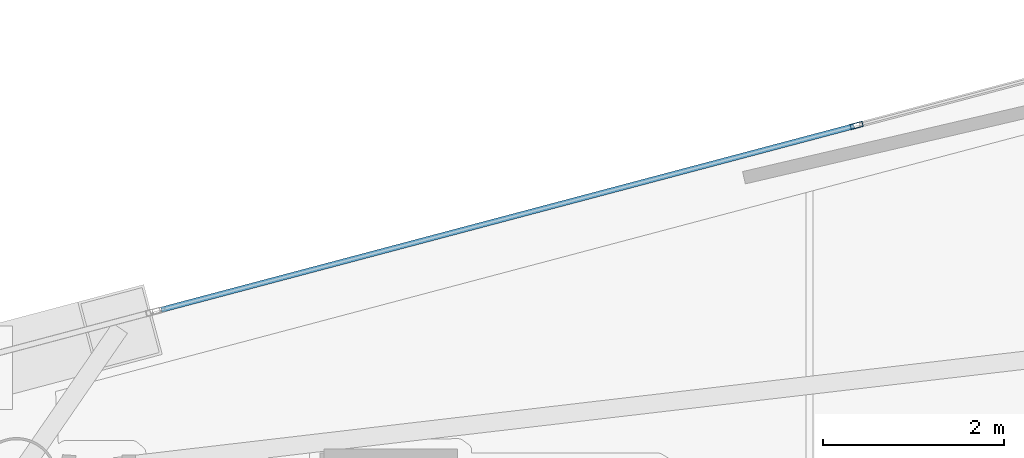
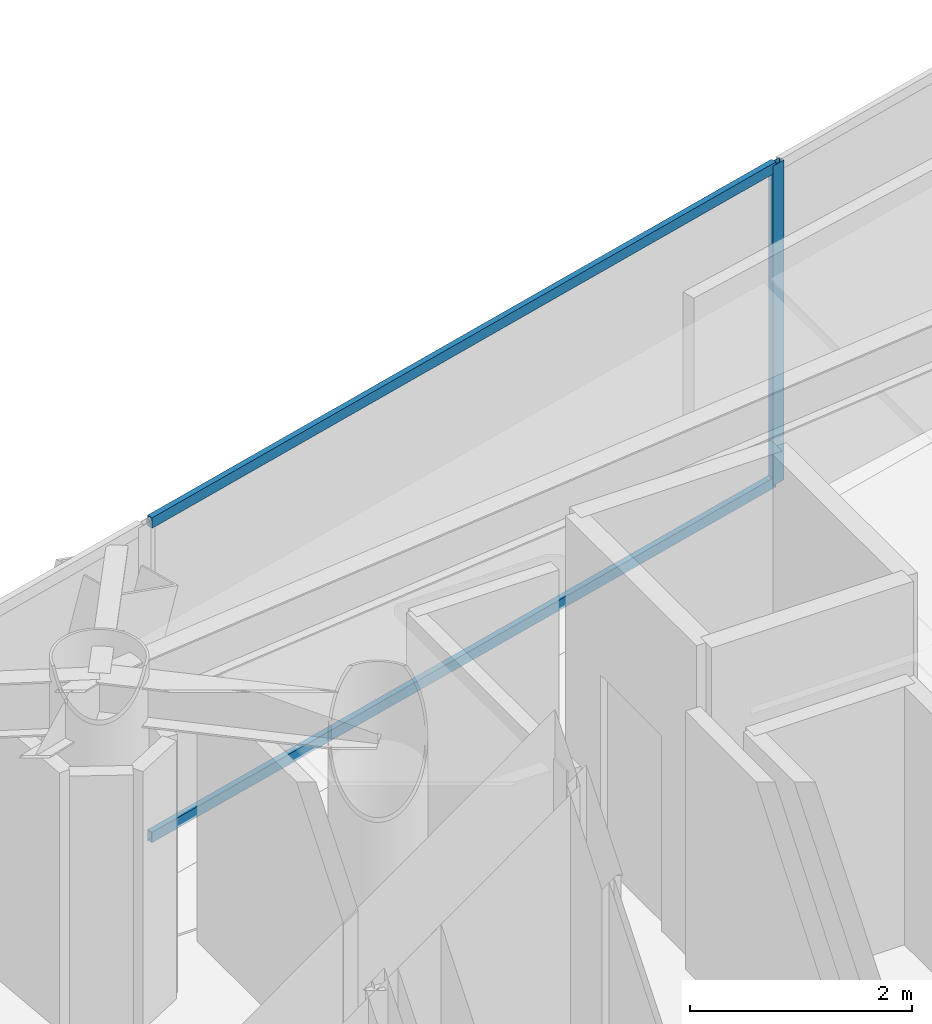
# One storey, part 16 of 23: 3 members, 1 element without a shape of its own.
"""IFC4 building model written with IfcOpenShell, lengths in metres."""

from ifc_helpers import new_model, si_unit, direction, frame, origin, origin_2d, place, context, subcontext, project, spatial, hollow_rectangle, extrude, material, layer, layer_set, material_profile, profile_set, type_object, element, aggregate, save


model = new_model("IFC4")

# Units and contexts
model_context = context("Model", 3, precision=1e-05, world=origin(), true_north=direction((0.0, 1.0)))
body_context = subcontext(model_context, "Body", "Model", "MODEL_VIEW")
ifc_project = project(units=[si_unit("LENGTHUNIT", "METRE"), si_unit("AREAUNIT", "SQUARE_METRE"), si_unit("VOLUMEUNIT", "CUBIC_METRE"), si_unit("PLANEANGLEUNIT", "RADIAN"), si_unit("MASSUNIT", "GRAM", prefix="KILO")], contexts=[model_context])

# Site, building, storey
site_placement = place(None, origin())
site = spatial("IfcSite", under=ifc_project, at=site_placement, CompositionType="ELEMENT")
building_placement = place(site_placement, origin())
building = spatial("IfcBuilding", under=site, at=building_placement, Name="Qianvela Tower", CompositionType="ELEMENT")
storey_placement = place(building_placement, frame((0.0, 0.0, 313.89990234375)))
storey = spatial("IfcBuildingStorey", under=building, at=storey_placement, Name="L81", CompositionType="ELEMENT", Elevation=313.89990234375)

# Curtain wall, members
ifc_material_1 = material(Name="Anodised Architectural Aluminium and Low-E Glass", Category="aluminium")
ifc_layer = layer(ifc_material_1, 0.14990234375)
ifc_layer_set = layer_set([ifc_layer], Name="Anodised Architectural Aluminium and Low-E Glass")
curtain_wall_type = type_object("IfcCurtainWallType", Name="CW-COLIV-Z78", PredefinedType="USERDEFINED", material=ifc_layer_set)
curtain_wall_placement = place(storey_placement, origin())
curtain_wall = element("IfcCurtainWall", 1, at=curtain_wall_placement, inside=storey, type_object=curtain_wall_type, Name="L81 CW-COLIV-Z78 Curtain Wall 02A", ObjectType="CURTAIN_WALL_SYSTEM", PredefinedType="USERDEFINED")
ifc_material_2 = material(Name="Anodised Architectural Aluminium 6063-T6", Category="aluminium")
ifc_material_profile_1 = material_profile(ifc_material_2, hollow_rectangle(XDim=0.06005859375, YDim=0.139892578125, WallThickness=0.00439453125, at=origin_2d()), Name="ALU-MULL-60x140")
ifc_profile_set_1 = profile_set([ifc_material_profile_1], Name="Anodised Architectural Aluminium 6063-T6")
member_type_1 = type_object("IfcMemberType", Name="CW-COLIV-Z78-MULL", PredefinedType="MULLION", material=ifc_profile_set_1)
member_1_placement = place(storey_placement, frame((45.77685546875, 39.148193359375, 0.0), z_axis=(0.0, 0.0, 1.0), x_axis=(0.256236073592, -0.966614232561, 0.0)))
member_1 = element("IfcMember", 2, at=member_1_placement, type_object=member_type_1, Name="CW-6 mullion 2", PredefinedType="MULLION", context=body_context, shape_type="SweptSolid", body=[
    extrude(hollow_rectangle(XDim=0.06005859375, YDim=0.139892578125, WallThickness=0.00439453125, at=origin_2d()), origin(), (0.0, 0.0, 1.0), 3.52001953125),
])
ifc_material_3 = material(Name="Anodised Architectural Aluminium 6063-T6", Category="aluminium")
ifc_material_profile_2 = material_profile(ifc_material_3, hollow_rectangle(XDim=0.06005859375, YDim=0.114990234375, WallThickness=0.00390625, at=origin_2d()), Name="ALU-TRAN-60x115")
ifc_profile_set_2 = profile_set([ifc_material_profile_2], Name="Anodised Architectural Aluminium 6063-T6")
member_type_2 = type_object("IfcMemberType", Name="CW-COLIV-Z78-TRAN", PredefinedType="USERDEFINED", material=ifc_profile_set_2)
member_2_placement = place(storey_placement, frame((45.747802734375, 39.140380859375, 0.030029296875), z_axis=(-0.966613831735, -0.256237585647, 0.0), x_axis=(0.256237585647, -0.966613831735, 0.0)))
member_2 = element("IfcMember", 3, at=member_2_placement, type_object=member_type_2, Name="CW-6 transom 2.1", ObjectType="TRANSOM", PredefinedType="USERDEFINED", context=body_context, shape_type="SweptSolid", body=[
    extrude(hollow_rectangle(XDim=0.06005859375, YDim=0.114990234375, WallThickness=0.00390625, at=origin_2d()), origin(), (0.0, 0.0, 1.0), 7.934814453125),
])
member_3_placement = place(storey_placement, frame((45.747802734375, 39.140380859375, 3.489990234375), z_axis=(-0.966613831735, -0.256237585647, 0.0), x_axis=(0.256237585647, -0.966613831735, 0.0)))
member_3 = element("IfcMember", 4, at=member_3_placement, type_object=member_type_2, Name="CW-6 transom 2.2", ObjectType="TRANSOM", PredefinedType="USERDEFINED", context=body_context, shape_type="SweptSolid", body=[
    extrude(hollow_rectangle(XDim=0.06005859375, YDim=0.114990234375, WallThickness=0.00390625, at=origin_2d()), origin(), (0.0, 0.0, 1.0), 7.934814453125),
])
aggregate(curtain_wall, [member_1, member_2, member_3])

save(model, "model.ifc")
